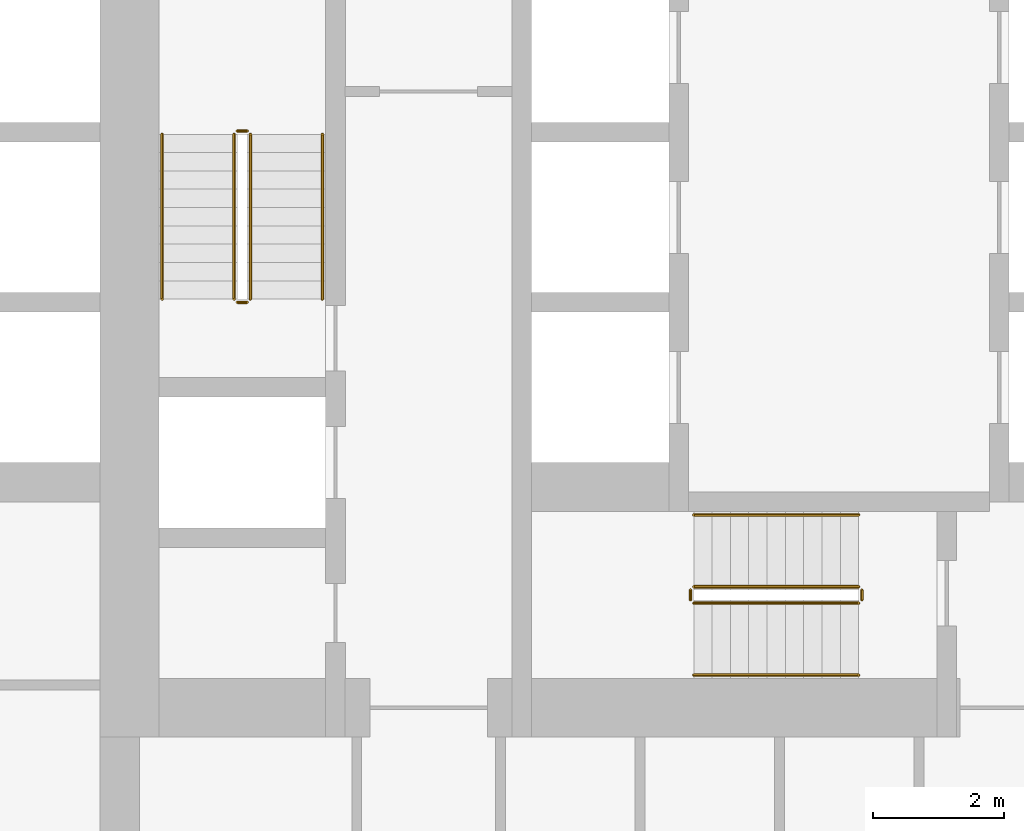
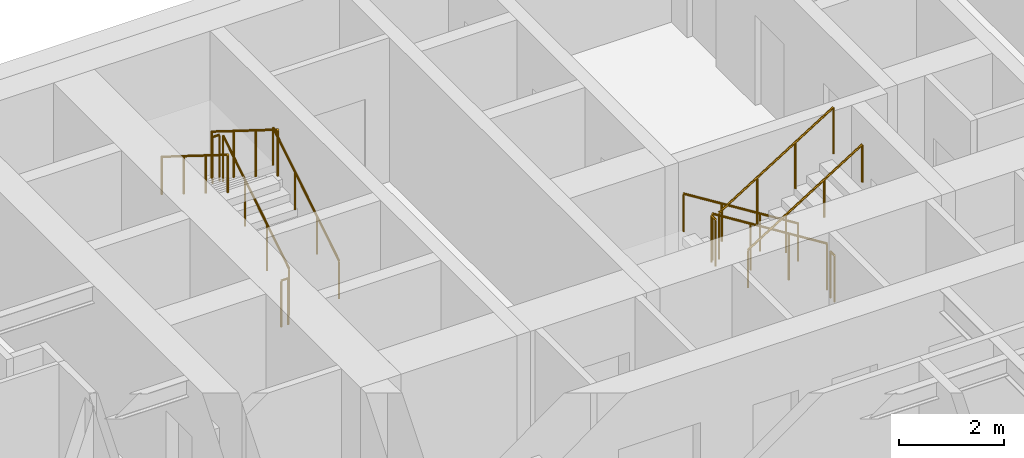
# One storey, part 9 of 11: 12 railings.
"""IFC4 building model written with IfcOpenShell, lengths in metres."""

from ifc_helpers import new_model, si_unit, direction, frame, origin, origin_2d, place, context, subcontext, project, spatial, circle, extrude, material, type_object, element, save


model = new_model("IFC4")

# Units and contexts
model_context = context("Model", 3, precision=1e-05, world=origin(), true_north=direction((0.0, 1.0)))
body_context = subcontext(model_context, "Body", "Model", "MODEL_VIEW")
ifc_project = project(units=[si_unit("LENGTHUNIT", "METRE"), si_unit("AREAUNIT", "SQUARE_METRE"), si_unit("VOLUMEUNIT", "CUBIC_METRE"), si_unit("PLANEANGLEUNIT", "RADIAN"), si_unit("MASSUNIT", "GRAM", prefix="KILO")], contexts=[model_context])

# Site, building, storey
site_placement = place(None, origin())
site = spatial("IfcSite", under=ifc_project, at=site_placement, CompositionType="ELEMENT")
building_placement = place(site_placement, origin())
building = spatial("IfcBuilding", under=site, at=building_placement, Name="Aloe Facet Convention Tower", CompositionType="ELEMENT")
storey_placement = place(building_placement, frame((0.0, 0.0, 38.5)))
storey = spatial("IfcBuildingStorey", under=building, at=storey_placement, Name="L07", CompositionType="ELEMENT", Elevation=38.5)

# Railings
ifc_material_1 = material(Name="Steel S355 balustrade", Category="steel")
railing_type_1 = type_object("IfcRailingType", Name="CR-RL-GUARD", PredefinedType="GUARDRAIL", material=ifc_material_1)
railing_1_placement = place(storey_placement, frame((71.0, 128.949951171875, 0.175048828125)))
element("IfcRailing", 1, at=railing_1_placement, inside=storey, type_object=railing_type_1, Name="L07 ST1 stair guard 1", PredefinedType="GUARDRAIL", context=body_context, shape_type="SweptSolid", body=[
    extrude(circle(Radius=0.02392578125, at=origin_2d()), frame((0.0, 0.0, 1.076171875), z_axis=(0.0, 0.848007534815, 0.529984170421), x_axis=(-1.0, 0.0, 0.0)), (0.0, 0.0, 1.0), 2.9716796875),
    extrude(circle(Radius=0.02099609375, at=origin_2d()), origin(), (0.0, 0.0, 1.0), 1.052001953125),
    extrude(circle(Radius=0.02099609375, at=origin_2d()), frame((0.0, 0.840087890625, 0.52490234375)), (0.0, 0.0, 1.0), 1.052001953125),
    extrude(circle(Radius=0.02099609375, at=origin_2d()), frame((0.0, 1.679931640625, 1.050048828125)), (0.0, 0.0, 1.0), 1.052001953125),
    extrude(circle(Radius=0.02099609375, at=origin_2d()), frame((0.0, 2.52001953125, 1.574951171875)), (0.0, 0.0, 1.0), 1.052001953125),
])
railing_2_placement = place(storey_placement, frame((70.949951171875, 131.52001953125, 1.75)))
element("IfcRailing", 2, at=railing_2_placement, inside=storey, type_object=railing_type_1, Name="L07 ST1 stair guard 2", PredefinedType="GUARDRAIL", context=body_context, shape_type="SweptSolid", body=[
    extrude(circle(Radius=0.02392578125, at=origin_2d()), frame((0.0, 0.0, 1.076171875), z_axis=(-1.0, 0.0, 0.0), x_axis=(0.0, -1.0, 0.0)), (0.0, 0.0, 1.0), 0.14990234375),
    extrude(circle(Radius=0.02099609375, at=origin_2d()), origin(), (0.0, 0.0, 1.0), 1.052001953125),
    extrude(circle(Radius=0.02099609375, at=origin_2d()), frame((-0.14990234375, 0.0, 0.0)), (0.0, 0.0, 1.0), 1.052001953125),
])
railing_3_placement = place(storey_placement, frame((70.75, 131.469970703125, 1.925048828125)))
element("IfcRailing", 3, at=railing_3_placement, inside=storey, type_object=railing_type_1, Name="L07 ST1 stair guard 3", PredefinedType="GUARDRAIL", context=body_context, shape_type="SweptSolid", body=[
    extrude(circle(Radius=0.02392578125, at=origin_2d()), frame((0.0, 0.0, 1.076171875), z_axis=(0.0, -0.848007534815, 0.529984170421), x_axis=(1.0, 0.0, 0.0)), (0.0, 0.0, 1.0), 2.9716796875),
    extrude(circle(Radius=0.02099609375, at=origin_2d()), origin(), (0.0, 0.0, 1.0), 1.052001953125),
    extrude(circle(Radius=0.02099609375, at=origin_2d()), frame((0.0, -0.840087890625, 0.52490234375)), (0.0, 0.0, 1.0), 1.052001953125),
    extrude(circle(Radius=0.02099609375, at=origin_2d()), frame((0.0, -1.679931640625, 1.050048828125)), (0.0, 0.0, 1.0), 1.052001953125),
    extrude(circle(Radius=0.02099609375, at=origin_2d()), frame((0.0, -2.52001953125, 1.574951171875)), (0.0, 0.0, 1.0), 1.052001953125),
])
railing_4_placement = place(storey_placement, frame((70.949951171875, 128.89990234375, 0.0)))
element("IfcRailing", 4, at=railing_4_placement, inside=storey, type_object=railing_type_1, Name="L07 ST1 stair guard 4", PredefinedType="GUARDRAIL", context=body_context, shape_type="SweptSolid", body=[
    extrude(circle(Radius=0.02392578125, at=origin_2d()), frame((0.0, 0.0, 1.076171875), z_axis=(-1.0, 0.0, 0.0), x_axis=(0.0, -1.0, 0.0)), (0.0, 0.0, 1.0), 0.14990234375),
    extrude(circle(Radius=0.02099609375, at=origin_2d()), origin(), (0.0, 0.0, 1.0), 1.052001953125),
    extrude(circle(Radius=0.02099609375, at=origin_2d()), frame((-0.14990234375, 0.0, 0.0)), (0.0, 0.0, 1.0), 1.052001953125),
])
railing_5_placement = place(storey_placement, frame((80.300048828125, 124.550048828125, 0.175048828125)))
element("IfcRailing", 5, at=railing_5_placement, inside=storey, type_object=railing_type_1, Name="L07 ST3 stair guard 1", PredefinedType="GUARDRAIL", context=body_context, shape_type="SweptSolid", body=[
    extrude(circle(Radius=0.02392578125, at=origin_2d()), frame((0.0, 0.0, 1.076171875), z_axis=(-0.848007534815, 0.0, 0.529984170421), x_axis=(0.0, -1.0, 0.0)), (0.0, 0.0, 1.0), 2.9716796875),
    extrude(circle(Radius=0.02099609375, at=origin_2d()), origin(), (0.0, 0.0, 1.0), 1.052001953125),
    extrude(circle(Radius=0.02099609375, at=origin_2d()), frame((-0.840087890625, 0.0, 0.52490234375)), (0.0, 0.0, 1.0), 1.052001953125),
    extrude(circle(Radius=0.02099609375, at=origin_2d()), frame((-1.679931640625, 0.0, 1.050048828125)), (0.0, 0.0, 1.0), 1.052001953125),
    extrude(circle(Radius=0.02099609375, at=origin_2d()), frame((-2.52001953125, 0.0, 1.574951171875)), (0.0, 0.0, 1.0), 1.052001953125),
])
railing_6_placement = place(storey_placement, frame((77.72998046875, 124.5, 1.75)))
element("IfcRailing", 6, at=railing_6_placement, inside=storey, type_object=railing_type_1, Name="L07 ST3 stair guard 2", PredefinedType="GUARDRAIL", context=body_context, shape_type="SweptSolid", body=[
    extrude(circle(Radius=0.02392578125, at=origin_2d()), frame((0.0, 0.0, 1.076171875), z_axis=(0.0, -1.0, 0.0), x_axis=(1.0, 0.0, 0.0)), (0.0, 0.0, 1.0), 0.14990234375),
    extrude(circle(Radius=0.02099609375, at=origin_2d()), origin(), (0.0, 0.0, 1.0), 1.052001953125),
    extrude(circle(Radius=0.02099609375, at=origin_2d()), frame((0.0, -0.14990234375, 0.0)), (0.0, 0.0, 1.0), 1.052001953125),
])
railing_7_placement = place(storey_placement, frame((77.780029296875, 124.300048828125, 1.925048828125)))
element("IfcRailing", 7, at=railing_7_placement, inside=storey, type_object=railing_type_1, Name="L07 ST3 stair guard 3", PredefinedType="GUARDRAIL", context=body_context, shape_type="SweptSolid", body=[
    extrude(circle(Radius=0.02392578125, at=origin_2d()), frame((0.0, 0.0, 1.076171875), z_axis=(0.848007534815, 0.0, 0.529984170421), x_axis=(0.0, 1.0, 0.0)), (0.0, 0.0, 1.0), 2.9716796875),
    extrude(circle(Radius=0.02099609375, at=origin_2d()), origin(), (0.0, 0.0, 1.0), 1.052001953125),
    extrude(circle(Radius=0.02099609375, at=origin_2d()), frame((0.840087890625, 0.0, 0.52490234375)), (0.0, 0.0, 1.0), 1.052001953125),
    extrude(circle(Radius=0.02099609375, at=origin_2d()), frame((1.679931640625, 0.0, 1.050048828125)), (0.0, 0.0, 1.0), 1.052001953125),
    extrude(circle(Radius=0.02099609375, at=origin_2d()), frame((2.52001953125, 0.0, 1.574951171875)), (0.0, 0.0, 1.0), 1.052001953125),
])
railing_8_placement = place(storey_placement, frame((80.35009765625, 124.5, 0.0)))
element("IfcRailing", 8, at=railing_8_placement, inside=storey, type_object=railing_type_1, Name="L07 ST3 stair guard 4", PredefinedType="GUARDRAIL", context=body_context, shape_type="SweptSolid", body=[
    extrude(circle(Radius=0.02392578125, at=origin_2d()), frame((0.0, 0.0, 1.076171875), z_axis=(0.0, -1.0, 0.0), x_axis=(1.0, 0.0, 0.0)), (0.0, 0.0, 1.0), 0.14990234375),
    extrude(circle(Radius=0.02099609375, at=origin_2d()), origin(), (0.0, 0.0, 1.0), 1.052001953125),
    extrude(circle(Radius=0.02099609375, at=origin_2d()), frame((0.0, -0.14990234375, 0.0)), (0.0, 0.0, 1.0), 1.052001953125),
])
ifc_material_2 = material(Name="Steel S355 handrail", Category="steel")
railing_type_2 = type_object("IfcRailingType", Name="CR-RL-HAND", PredefinedType="HANDRAIL", material=ifc_material_2)
railing_9_placement = place(storey_placement, frame((72.10009765625, 128.949951171875, 0.175048828125)))
element("IfcRailing", 9, at=railing_9_placement, inside=storey, type_object=railing_type_2, Name="L07 ST1 stair handrail 1", PredefinedType="HANDRAIL", context=body_context, shape_type="SweptSolid", body=[
    extrude(circle(Radius=0.02392578125, at=origin_2d()), frame((0.0, 0.0, 0.8759765625), z_axis=(0.0, 0.848007534815, 0.529984170421), x_axis=(-1.0, 0.0, 0.0)), (0.0, 0.0, 1.0), 2.9716796875),
    extrude(circle(Radius=0.02099609375, at=origin_2d()), origin(), (0.0, 0.0, 1.0), 0.851806640625),
    extrude(circle(Radius=0.02099609375, at=origin_2d()), frame((0.0, 0.840087890625, 0.52490234375)), (0.0, 0.0, 1.0), 0.851806640625),
    extrude(circle(Radius=0.02099609375, at=origin_2d()), frame((0.0, 1.679931640625, 1.050048828125)), (0.0, 0.0, 1.0), 0.851806640625),
    extrude(circle(Radius=0.02099609375, at=origin_2d()), frame((0.0, 2.52001953125, 1.574951171875)), (0.0, 0.0, 1.0), 0.851806640625),
])
railing_10_placement = place(storey_placement, frame((69.64990234375, 131.469970703125, 1.925048828125)))
element("IfcRailing", 10, at=railing_10_placement, inside=storey, type_object=railing_type_2, Name="L07 ST1 stair handrail 2", PredefinedType="HANDRAIL", context=body_context, shape_type="SweptSolid", body=[
    extrude(circle(Radius=0.02392578125, at=origin_2d()), frame((0.0, 0.0, 0.8759765625), z_axis=(0.0, -0.848007534815, 0.529984170421), x_axis=(1.0, 0.0, 0.0)), (0.0, 0.0, 1.0), 2.9716796875),
    extrude(circle(Radius=0.02099609375, at=origin_2d()), origin(), (0.0, 0.0, 1.0), 0.851806640625),
    extrude(circle(Radius=0.02099609375, at=origin_2d()), frame((0.0, -0.840087890625, 0.52490234375)), (0.0, 0.0, 1.0), 0.851806640625),
    extrude(circle(Radius=0.02099609375, at=origin_2d()), frame((0.0, -1.679931640625, 1.050048828125)), (0.0, 0.0, 1.0), 0.851806640625),
    extrude(circle(Radius=0.02099609375, at=origin_2d()), frame((0.0, -2.52001953125, 1.574951171875)), (0.0, 0.0, 1.0), 0.851806640625),
])
railing_11_placement = place(storey_placement, frame((80.300048828125, 125.64990234375, 0.175048828125)))
element("IfcRailing", 11, at=railing_11_placement, inside=storey, type_object=railing_type_2, Name="L07 ST3 stair handrail 1", PredefinedType="HANDRAIL", context=body_context, shape_type="SweptSolid", body=[
    extrude(circle(Radius=0.02392578125, at=origin_2d()), frame((0.0, 0.0, 0.8759765625), z_axis=(-0.848007534815, 0.0, 0.529984170421), x_axis=(0.0, -1.0, 0.0)), (0.0, 0.0, 1.0), 2.9716796875),
    extrude(circle(Radius=0.02099609375, at=origin_2d()), origin(), (0.0, 0.0, 1.0), 0.851806640625),
    extrude(circle(Radius=0.02099609375, at=origin_2d()), frame((-0.840087890625, 0.0, 0.52490234375)), (0.0, 0.0, 1.0), 0.851806640625),
    extrude(circle(Radius=0.02099609375, at=origin_2d()), frame((-1.679931640625, 0.0, 1.050048828125)), (0.0, 0.0, 1.0), 0.851806640625),
    extrude(circle(Radius=0.02099609375, at=origin_2d()), frame((-2.52001953125, 0.0, 1.574951171875)), (0.0, 0.0, 1.0), 0.851806640625),
])
railing_12_placement = place(storey_placement, frame((77.780029296875, 123.199951171875, 1.925048828125)))
element("IfcRailing", 12, at=railing_12_placement, inside=storey, type_object=railing_type_2, Name="L07 ST3 stair handrail 2", PredefinedType="HANDRAIL", context=body_context, shape_type="SweptSolid", body=[
    extrude(circle(Radius=0.02392578125, at=origin_2d()), frame((0.0, 0.0, 0.8759765625), z_axis=(0.848007534815, 0.0, 0.529984170421), x_axis=(0.0, 1.0, 0.0)), (0.0, 0.0, 1.0), 2.9716796875),
    extrude(circle(Radius=0.02099609375, at=origin_2d()), origin(), (0.0, 0.0, 1.0), 0.851806640625),
    extrude(circle(Radius=0.02099609375, at=origin_2d()), frame((0.840087890625, 0.0, 0.52490234375)), (0.0, 0.0, 1.0), 0.851806640625),
    extrude(circle(Radius=0.02099609375, at=origin_2d()), frame((1.679931640625, 0.0, 1.050048828125)), (0.0, 0.0, 1.0), 0.851806640625),
    extrude(circle(Radius=0.02099609375, at=origin_2d()), frame((2.52001953125, 0.0, 1.574951171875)), (0.0, 0.0, 1.0), 0.851806640625),
])

save(model, "model.ifc")
